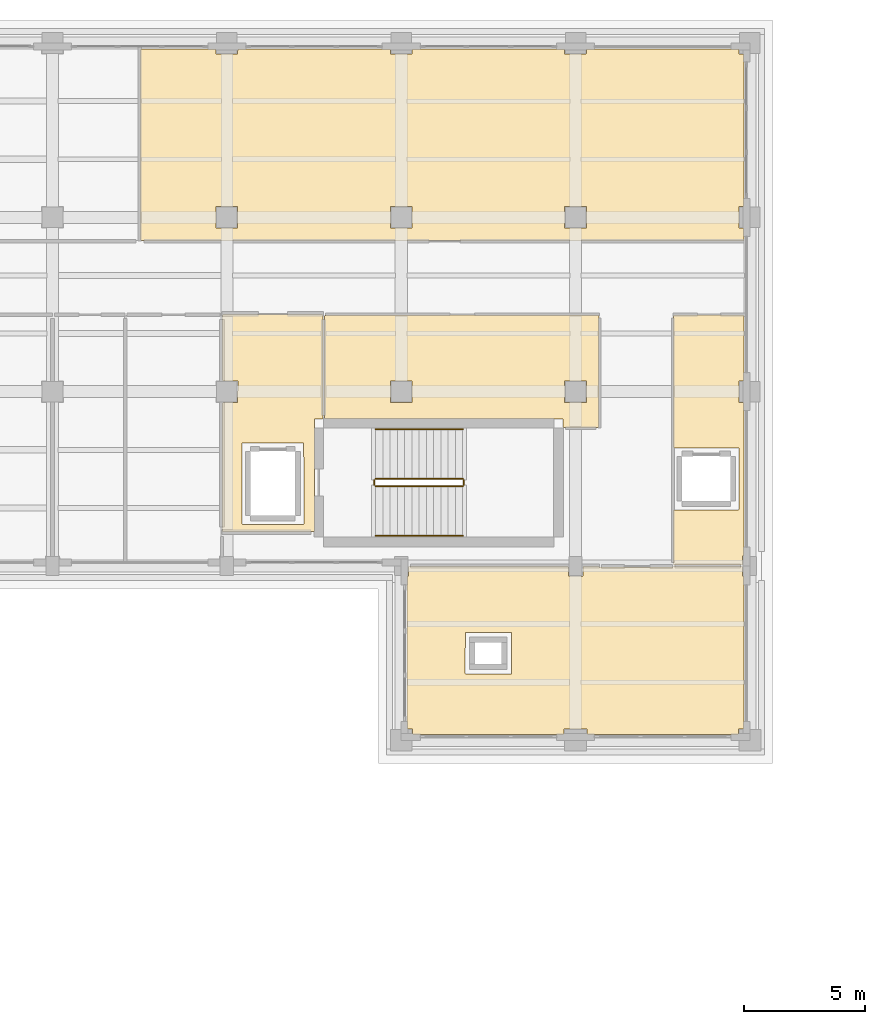
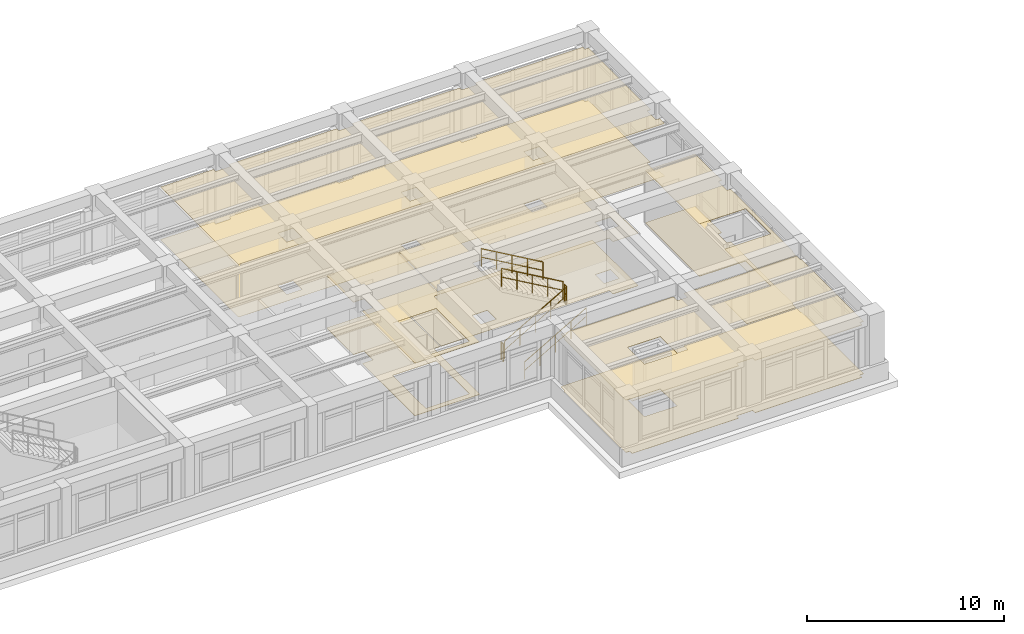
# One storey, part 69 of 69: 10 coverings, 6 railings.
"""IFC4 building model written with IfcOpenShell, lengths in metres."""

from ifc_helpers import new_model, si_unit, direction, frame, origin, origin_2d, place, context, subcontext, project, spatial, polyline, circle, outline, extrude, material, layer, layer_set, type_object, element, save


model = new_model("IFC4")

# Units and contexts
model_context = context("Model", 3, precision=1e-05, world=origin(), true_north=direction((0.0, 1.0)))
body_context = subcontext(model_context, "Body", "Model", "MODEL_VIEW")
ifc_project = project(units=[si_unit("LENGTHUNIT", "METRE"), si_unit("AREAUNIT", "SQUARE_METRE"), si_unit("VOLUMEUNIT", "CUBIC_METRE"), si_unit("PLANEANGLEUNIT", "RADIAN"), si_unit("MASSUNIT", "GRAM", prefix="KILO")], contexts=[model_context])

# Site, building, storey
site_placement = place(None, origin())
site = spatial("IfcSite", under=ifc_project, at=site_placement, CompositionType="ELEMENT")
building_placement = place(site_placement, origin())
building = spatial("IfcBuilding", under=site, at=building_placement, Name="Solenvale Faculty of Natural Sciences", CompositionType="ELEMENT")
storey_placement = place(building_placement, frame((0.0, 0.0, 4.5)))
storey = spatial("IfcBuildingStorey", under=building, at=storey_placement, Name="L01", CompositionType="ELEMENT", Elevation=4.5)

# Coverings
ifc_material_1 = material(Name="Acoustic mineral-timber ceiling", Category="wood")
ifc_layer_1 = layer(ifc_material_1, 0.02490234375)
ifc_layer_set_1 = layer_set([ifc_layer_1], Name="Acoustic mineral-timber ceiling")
covering_type_1 = type_object("IfcCoveringType", Name="COV-CEIL-AC25", PredefinedType="CEILING", material=ifc_layer_set_1)
covering_1_placement = place(storey_placement, frame((0.0, 0.0, 3.235107421875)))
element("IfcCovering", 1, at=covering_1_placement, inside=storey, type_object=covering_type_1, Name="L01 Firefighting Lobby C5 Acoustic Ceiling", PredefinedType="CEILING", context=body_context, shape_type="SweptSolid", body=[
    extrude(outline(polyline([(133.580078125, 99.7099609375), (133.555908203125, 99.680908203125), (133.248046875, 99.679931640625), (133.219970703125, 99.652099609375), (133.212890625, 95.031005859375), (133.18994140625, 95.02001953125), (129.430908203125, 95.027099609375), (129.419921875, 95.050048828125), (129.419921875, 100.322998046875), (129.447021484375, 100.35009765625), (130.048095703125, 100.35400390625), (130.050048828125, 101.239013671875), (130.0390625, 101.25), (129.447021484375, 101.25), (129.4208984375, 101.27392578125), (129.419921875, 103.949951171875), (129.428955078125, 103.970947265625), (129.449951171875, 103.97998046875), (133.550048828125, 103.97998046875), (133.571044921875, 103.970947265625), (133.580078125, 103.949951171875), (133.580078125, 99.7099609375)]), holes=[polyline([(132.751953125, 95.320068359375), (132.77197265625, 95.330078125), (132.780029296875, 95.35009765625), (132.77392578125, 98.66796875), (132.75, 98.679931640625), (130.23193359375, 98.674072265625), (130.219970703125, 98.64990234375), (130.22607421875, 95.33203125), (130.25, 95.320068359375), (132.751953125, 95.320068359375)])]), origin(), (0.0, 0.0, 1.0), 0.02490234375),
])
covering_2_placement = place(storey_placement, frame((0.0, 0.0, 3.235107421875)))
element("IfcCovering", 2, at=covering_2_placement, inside=storey, type_object=covering_type_1, Name="L01 Seminar Room Acoustic Ceiling", PredefinedType="CEILING", context=body_context, shape_type="SweptSolid", body=[
    extrude(outline(polyline([(144.950927734375, 93.580078125), (145.0, 93.56005859375), (148.0, 93.56005859375), (148.049072265625, 93.580078125), (150.8701171875, 93.580078125), (150.89306640625, 93.569091796875), (150.89990234375, 93.18310546875), (150.947021484375, 93.169921875), (150.9599609375, 93.14501953125), (150.9599609375, 86.905029296875), (150.93310546875, 86.875), (150.72802734375, 86.8720703125), (150.72509765625, 86.6669921875), (150.714111328125, 86.64697265625), (144.5048828125, 86.639892578125), (144.47607421875, 86.6640625), (144.467041015625, 86.875), (143.535888671875, 86.875), (143.52490234375, 86.865966796875), (143.52392578125, 86.6640625), (143.4951171875, 86.639892578125), (137.304931640625, 86.639892578125), (137.27490234375, 86.6669921875), (137.27197265625, 86.8720703125), (137.06689453125, 86.875), (137.047119140625, 86.885986328125), (137.0400390625, 93.14501953125), (137.052978515625, 93.169921875), (137.10009765625, 93.18310546875), (137.10009765625, 93.550048828125), (137.111083984375, 93.572998046875), (143.673095703125, 93.580078125), (143.699951171875, 93.552978515625), (143.7041015625, 93.177001953125), (144.2890625, 93.175048828125), (144.300048828125, 93.18603515625), (144.300048828125, 93.552978515625), (144.31298828125, 93.574951171875), (144.950927734375, 93.580078125)]), holes=[polyline([(141.33203125, 89.139892578125), (141.35205078125, 89.14990234375), (141.360107421875, 89.169921875), (141.360107421875, 90.830078125), (141.35009765625, 90.85205078125), (139.469970703125, 90.860107421875), (139.447998046875, 90.85009765625), (139.43994140625, 89.169921875), (139.449951171875, 89.14794921875), (141.33203125, 89.139892578125)])]), origin(), (0.0, 0.0, 1.0), 0.02490234375),
])
covering_3_placement = place(storey_placement, frame((0.0, 0.0, 3.235107421875)))
element("IfcCovering", 3, at=covering_3_placement, inside=storey, type_object=covering_type_1, Name="L01 Optics and Photonics Research Laboratory Acoustic Ceiling", PredefinedType="CEILING", context=body_context, shape_type="SweptSolid", body=[
    extrude(outline(polyline([(129.1201171875, 114.9599609375), (129.14892578125, 114.93603515625), (129.14990234375, 114.759033203125), (129.160888671875, 114.75), (130.0419921875, 114.75), (130.051025390625, 114.93603515625), (130.080078125, 114.9599609375), (136.320068359375, 114.9599609375), (136.34912109375, 114.93603515625), (136.35009765625, 114.759033203125), (136.361083984375, 114.75), (137.241943359375, 114.75), (137.2509765625, 114.93603515625), (137.280029296875, 114.9599609375), (143.52001953125, 114.9599609375), (143.549072265625, 114.93603515625), (143.550048828125, 114.759033203125), (143.56103515625, 114.75), (144.44189453125, 114.75), (144.450927734375, 114.93603515625), (144.47998046875, 114.9599609375), (150.73095703125, 114.9580078125), (150.75, 114.93310546875), (150.7529296875, 114.7529296875), (150.93603515625, 114.7490234375), (150.9599609375, 114.719970703125), (150.9599609375, 108.47998046875), (150.93603515625, 108.450927734375), (150.759033203125, 108.449951171875), (150.75, 108.43896484375), (150.75, 107.55810546875), (150.93310546875, 107.550048828125), (150.9580078125, 107.531005859375), (150.9580078125, 107.05908203125), (150.929931640625, 107.0400390625), (126.05908203125, 107.0419921875), (126.0400390625, 107.070068359375), (126.0419921875, 114.94091796875), (126.070068359375, 114.9599609375), (129.1201171875, 114.9599609375)]), holes=[polyline([(144.449951171875, 108.43896484375), (144.43896484375, 108.449951171875), (143.552978515625, 108.447021484375), (143.552978515625, 107.552978515625), (144.447021484375, 107.552978515625), (144.449951171875, 108.43896484375)]), polyline([(137.25, 108.43896484375), (137.239013671875, 108.449951171875), (136.35302734375, 108.447021484375), (136.35302734375, 107.552978515625), (137.2470703125, 107.552978515625), (137.25, 108.43896484375)]), polyline([(129.160888671875, 108.449951171875), (129.14990234375, 108.43896484375), (129.153076171875, 107.552978515625), (130.047119140625, 107.552978515625), (130.047119140625, 108.447021484375), (129.160888671875, 108.449951171875)])]), origin(), (0.0, 0.0, 1.0), 0.02490234375),
])
covering_4_placement = place(storey_placement, frame((0.0, 0.0, 3.235107421875)))
element("IfcCovering", 4, at=covering_4_placement, inside=storey, type_object=covering_type_1, Name="L01 Building Electrical and Telecom Closet Acoustic Ceiling", PredefinedType="CEILING", context=body_context, shape_type="SweptSolid", body=[
    extrude(outline(polyline([(144.929931640625, 103.9599609375), (144.950927734375, 103.950927734375), (144.9599609375, 103.929931640625), (144.9599609375, 99.35009765625), (144.94091796875, 99.322021484375), (143.50390625, 99.321044921875), (143.47998046875, 99.346923828125), (143.47998046875, 99.654052734375), (143.450927734375, 99.679931640625), (133.669921875, 99.679931640625), (133.64208984375, 99.698974609375), (133.639892578125, 103.929931640625), (133.658935546875, 103.9580078125), (144.929931640625, 103.9599609375)]), holes=[polyline([(144.449951171875, 101.239013671875), (144.43896484375, 101.25), (143.552978515625, 101.2470703125), (143.552978515625, 100.35302734375), (144.447021484375, 100.35302734375), (144.449951171875, 101.239013671875)]), polyline([(137.25, 101.239013671875), (137.239013671875, 101.25), (136.35302734375, 101.2470703125), (136.35302734375, 100.35302734375), (137.2470703125, 100.35302734375), (137.25, 101.239013671875)])]), origin(), (0.0, 0.0, 1.0), 0.02490234375),
])
covering_5_placement = place(storey_placement, frame((0.0, 0.0, 3.235107421875)))
element("IfcCovering", 5, at=covering_5_placement, inside=storey, type_object=covering_type_1, Name="L01 Elevator Lobby Acoustic Ceiling", PredefinedType="CEILING", context=body_context, shape_type="SweptSolid", body=[
    extrude(outline(polyline([(148.0400390625, 95.889892578125), (148.049072265625, 95.910888671875), (148.070068359375, 95.919921875), (150.72509765625, 95.919921875), (150.7470703125, 95.929931640625), (150.7548828125, 95.949951171875), (150.7548828125, 98.449951171875), (150.7451171875, 98.471923828125), (148.070068359375, 98.47998046875), (148.041015625, 98.5009765625), (148.0419921875, 103.94091796875), (148.070068359375, 103.9599609375), (150.94091796875, 103.9580078125), (150.9599609375, 103.929931640625), (150.9599609375, 101.277099609375), (150.93603515625, 101.2509765625), (150.759033203125, 101.25), (150.75, 101.239013671875), (150.75, 100.35791015625), (150.93603515625, 100.34912109375), (150.9599609375, 100.320068359375), (150.9599609375, 94.054931640625), (150.947021484375, 94.030029296875), (150.89990234375, 94.01708984375), (150.89306640625, 93.65087890625), (150.8701171875, 93.639892578125), (148.051025390625, 93.64697265625), (148.0400390625, 93.669921875), (148.0400390625, 95.889892578125)])), origin(), (0.0, 0.0, 1.0), 0.02490234375),
])
ifc_material_2 = material(Name="Polished slate terrazzo flooring", Category="masonry")
ifc_layer_2 = layer(ifc_material_2, 0.01806640625)
ifc_layer_set_2 = layer_set([ifc_layer_2], Name="Polished slate terrazzo flooring")
covering_type_2 = type_object("IfcCoveringType", Name="COV-FLR-TRZ18", PredefinedType="FLOORING", material=ifc_layer_set_2)
covering_6_placement = place(storey_placement, origin())
element("IfcCovering", 6, at=covering_6_placement, inside=storey, type_object=covering_type_2, Name="L01 Firefighting Lobby C5 Floor Finish", PredefinedType="FLOORING", context=body_context, shape_type="SweptSolid", body=[
    extrude(outline(polyline([(133.580078125, 99.7099609375), (133.555908203125, 99.680908203125), (133.248046875, 99.679931640625), (133.219970703125, 99.652099609375), (133.212890625, 95.031005859375), (133.18994140625, 95.02001953125), (129.430908203125, 95.027099609375), (129.419921875, 95.050048828125), (129.419921875, 100.322998046875), (129.447021484375, 100.35009765625), (130.048095703125, 100.35400390625), (130.050048828125, 101.239013671875), (130.0390625, 101.25), (129.447021484375, 101.25), (129.4208984375, 101.27392578125), (129.419921875, 103.949951171875), (129.428955078125, 103.970947265625), (129.449951171875, 103.97998046875), (133.550048828125, 103.97998046875), (133.571044921875, 103.970947265625), (133.580078125, 103.949951171875), (133.580078125, 99.7099609375)]), holes=[polyline([(132.751953125, 95.320068359375), (132.77197265625, 95.330078125), (132.780029296875, 95.35009765625), (132.77392578125, 98.66796875), (132.75, 98.679931640625), (130.23193359375, 98.674072265625), (130.219970703125, 98.64990234375), (130.22607421875, 95.33203125), (130.25, 95.320068359375), (132.751953125, 95.320068359375)])]), origin(), (0.0, 0.0, 1.0), 0.01806640625),
])
covering_7_placement = place(storey_placement, origin())
element("IfcCovering", 7, at=covering_7_placement, inside=storey, type_object=covering_type_2, Name="L01 Seminar Room Floor Finish", PredefinedType="FLOORING", context=body_context, shape_type="SweptSolid", body=[
    extrude(outline(polyline([(144.950927734375, 93.580078125), (145.0, 93.56005859375), (148.0, 93.56005859375), (148.049072265625, 93.580078125), (150.8701171875, 93.580078125), (150.89306640625, 93.569091796875), (150.89990234375, 93.18310546875), (150.947021484375, 93.169921875), (150.9599609375, 93.14501953125), (150.9599609375, 86.905029296875), (150.93310546875, 86.875), (150.72802734375, 86.8720703125), (150.72509765625, 86.6669921875), (150.714111328125, 86.64697265625), (144.5048828125, 86.639892578125), (144.47607421875, 86.6640625), (144.467041015625, 86.875), (143.535888671875, 86.875), (143.52490234375, 86.865966796875), (143.52392578125, 86.6640625), (143.4951171875, 86.639892578125), (137.304931640625, 86.639892578125), (137.27490234375, 86.6669921875), (137.27197265625, 86.8720703125), (137.06689453125, 86.875), (137.047119140625, 86.885986328125), (137.0400390625, 93.14501953125), (137.052978515625, 93.169921875), (137.10009765625, 93.18310546875), (137.10009765625, 93.550048828125), (137.111083984375, 93.572998046875), (143.673095703125, 93.580078125), (143.699951171875, 93.552978515625), (143.7041015625, 93.177001953125), (144.2890625, 93.175048828125), (144.300048828125, 93.18603515625), (144.300048828125, 93.552978515625), (144.31298828125, 93.574951171875), (144.950927734375, 93.580078125)]), holes=[polyline([(141.33203125, 89.139892578125), (141.35205078125, 89.14990234375), (141.360107421875, 89.169921875), (141.360107421875, 90.830078125), (141.35009765625, 90.85205078125), (139.469970703125, 90.860107421875), (139.447998046875, 90.85009765625), (139.43994140625, 89.169921875), (139.449951171875, 89.14794921875), (141.33203125, 89.139892578125)])]), origin(), (0.0, 0.0, 1.0), 0.01806640625),
])
covering_8_placement = place(storey_placement, origin())
element("IfcCovering", 8, at=covering_8_placement, inside=storey, type_object=covering_type_2, Name="L01 Building Electrical and Telecom Closet Floor Finish", PredefinedType="FLOORING", context=body_context, shape_type="SweptSolid", body=[
    extrude(outline(polyline([(144.929931640625, 103.9599609375), (144.950927734375, 103.950927734375), (144.9599609375, 103.929931640625), (144.9599609375, 99.35009765625), (144.94091796875, 99.322021484375), (143.50390625, 99.321044921875), (143.47998046875, 99.346923828125), (143.47998046875, 99.654052734375), (143.450927734375, 99.679931640625), (133.669921875, 99.679931640625), (133.64208984375, 99.698974609375), (133.639892578125, 103.929931640625), (133.658935546875, 103.9580078125), (144.929931640625, 103.9599609375)]), holes=[polyline([(144.449951171875, 101.239013671875), (144.43896484375, 101.25), (143.552978515625, 101.2470703125), (143.552978515625, 100.35302734375), (144.447021484375, 100.35302734375), (144.449951171875, 101.239013671875)]), polyline([(137.25, 101.239013671875), (137.239013671875, 101.25), (136.35302734375, 101.2470703125), (136.35302734375, 100.35302734375), (137.2470703125, 100.35302734375), (137.25, 101.239013671875)])]), origin(), (0.0, 0.0, 1.0), 0.01806640625),
])
covering_9_placement = place(storey_placement, origin())
element("IfcCovering", 9, at=covering_9_placement, inside=storey, type_object=covering_type_2, Name="L01 Elevator Lobby Floor Finish", PredefinedType="FLOORING", context=body_context, shape_type="SweptSolid", body=[
    extrude(outline(polyline([(148.0400390625, 95.889892578125), (148.049072265625, 95.910888671875), (148.070068359375, 95.919921875), (150.72509765625, 95.919921875), (150.7470703125, 95.929931640625), (150.7548828125, 95.949951171875), (150.7548828125, 98.449951171875), (150.7451171875, 98.471923828125), (148.070068359375, 98.47998046875), (148.041015625, 98.5009765625), (148.0419921875, 103.94091796875), (148.070068359375, 103.9599609375), (150.94091796875, 103.9580078125), (150.9599609375, 103.929931640625), (150.9599609375, 101.277099609375), (150.93603515625, 101.2509765625), (150.759033203125, 101.25), (150.75, 101.239013671875), (150.75, 100.35791015625), (150.93603515625, 100.34912109375), (150.9599609375, 100.320068359375), (150.9599609375, 94.054931640625), (150.947021484375, 94.030029296875), (150.89990234375, 94.01708984375), (150.89306640625, 93.65087890625), (150.8701171875, 93.639892578125), (148.051025390625, 93.64697265625), (148.0400390625, 93.669921875), (148.0400390625, 95.889892578125)])), origin(), (0.0, 0.0, 1.0), 0.01806640625),
])
ifc_material_3 = material(Name="Seamless laboratory vinyl flooring")
ifc_layer_3 = layer(ifc_material_3, 0.008056640625)
ifc_layer_set_3 = layer_set([ifc_layer_3], Name="Seamless laboratory vinyl flooring")
covering_type_3 = type_object("IfcCoveringType", Name="COV-FLR-VNL08", PredefinedType="FLOORING", material=ifc_layer_set_3)
covering_10_placement = place(storey_placement, origin())
element("IfcCovering", 10, at=covering_10_placement, inside=storey, type_object=covering_type_3, Name="L01 Optics and Photonics Research Laboratory Floor Finish", PredefinedType="FLOORING", context=body_context, shape_type="SweptSolid", body=[
    extrude(outline(polyline([(129.1201171875, 114.9599609375), (129.14892578125, 114.93603515625), (129.14990234375, 114.759033203125), (129.160888671875, 114.75), (130.0419921875, 114.75), (130.051025390625, 114.93603515625), (130.080078125, 114.9599609375), (136.320068359375, 114.9599609375), (136.34912109375, 114.93603515625), (136.35009765625, 114.759033203125), (136.361083984375, 114.75), (137.241943359375, 114.75), (137.2509765625, 114.93603515625), (137.280029296875, 114.9599609375), (143.52001953125, 114.9599609375), (143.549072265625, 114.93603515625), (143.550048828125, 114.759033203125), (143.56103515625, 114.75), (144.44189453125, 114.75), (144.450927734375, 114.93603515625), (144.47998046875, 114.9599609375), (150.73095703125, 114.9580078125), (150.75, 114.93310546875), (150.7529296875, 114.7529296875), (150.93603515625, 114.7490234375), (150.9599609375, 114.719970703125), (150.9599609375, 108.47998046875), (150.93603515625, 108.450927734375), (150.759033203125, 108.449951171875), (150.75, 108.43896484375), (150.75, 107.55810546875), (150.93310546875, 107.550048828125), (150.9580078125, 107.531005859375), (150.9580078125, 107.05908203125), (150.929931640625, 107.0400390625), (126.05908203125, 107.0419921875), (126.0400390625, 107.070068359375), (126.0419921875, 114.94091796875), (126.070068359375, 114.9599609375), (129.1201171875, 114.9599609375)]), holes=[polyline([(144.449951171875, 108.43896484375), (144.43896484375, 108.449951171875), (143.552978515625, 108.447021484375), (143.552978515625, 107.552978515625), (144.447021484375, 107.552978515625), (144.449951171875, 108.43896484375)]), polyline([(137.25, 108.43896484375), (137.239013671875, 108.449951171875), (136.35302734375, 108.447021484375), (136.35302734375, 107.552978515625), (137.2470703125, 107.552978515625), (137.25, 108.43896484375)]), polyline([(129.160888671875, 108.449951171875), (129.14990234375, 108.43896484375), (129.153076171875, 107.552978515625), (130.047119140625, 107.552978515625), (130.047119140625, 108.447021484375), (129.160888671875, 108.449951171875)])]), origin(), (0.0, 0.0, 1.0), 0.008056640625),
])

# Railings
ifc_material_4 = material(Name="Stainless steel Grade 304", Category="steel")
railing_type_1 = type_object("IfcRailingType", Name="RL-GRD-1100", PredefinedType="GUARDRAIL", material=ifc_material_4)
railing_1_placement = place(storey_placement, frame((135.739990234375, 96.89990234375, 0.173095703125)))
element("IfcRailing", 11, at=railing_1_placement, inside=storey, type_object=railing_type_1, Name="L01 ST-05 stair guard 1", PredefinedType="GUARDRAIL", context=body_context, shape_type="SweptSolid", body=[
    extrude(circle(Radius=0.02392578125, at=origin_2d()), frame((0.0, 0.0, 1.09619140625), z_axis=(0.866193409371, 0.0, 0.499708892819), x_axis=(0.0, 1.0, 0.0)), (0.0, 0.0, 1.0), 4.15625),
    extrude(circle(Radius=0.01611328125, at=origin_2d()), frame((0.0, 0.0, 0.56005859375), z_axis=(0.866193409371, 0.0, 0.499708892819), x_axis=(0.0, 1.0, 0.0)), (0.0, 0.0, 1.0), 4.15625),
    extrude(circle(Radius=0.02099609375, at=origin_2d()), origin(), (0.0, 0.0, 1.0), 1.072021484375),
    extrude(circle(Radius=0.02099609375, at=origin_2d()), frame((0.89990234375, 0.0, 0.519287109375)), (0.0, 0.0, 1.0), 1.072021484375),
    extrude(circle(Radius=0.02099609375, at=origin_2d()), frame((1.800048828125, 0.0, 1.03857421875)), (0.0, 0.0, 1.0), 1.072021484375),
    extrude(circle(Radius=0.02099609375, at=origin_2d()), frame((2.7001953125, 0.0, 1.5576171875)), (0.0, 0.0, 1.0), 1.072021484375),
    extrude(circle(Radius=0.02099609375, at=origin_2d()), frame((3.60009765625, 0.0, 2.076904296875)), (0.0, 0.0, 1.0), 1.072021484375),
])
railing_2_placement = place(storey_placement, frame((139.389892578125, 96.949951171875, 2.25)))
element("IfcRailing", 12, at=railing_2_placement, inside=storey, type_object=railing_type_1, Name="L01 ST-05 stair guard 2", PredefinedType="GUARDRAIL", context=body_context, shape_type="SweptSolid", body=[
    extrude(circle(Radius=0.02392578125, at=origin_2d()), frame((0.0, 0.0, 1.09619140625), z_axis=(0.0, 1.0, 0.0), x_axis=(-1.0, 0.0, 0.0)), (0.0, 0.0, 1.0), 0.199951171875),
    extrude(circle(Radius=0.01611328125, at=origin_2d()), frame((0.0, 0.0, 0.56005859375), z_axis=(0.0, 1.0, 0.0), x_axis=(-1.0, 0.0, 0.0)), (0.0, 0.0, 1.0), 0.199951171875),
    extrude(circle(Radius=0.02099609375, at=origin_2d()), origin(), (0.0, 0.0, 1.0), 1.072021484375),
    extrude(circle(Radius=0.02099609375, at=origin_2d()), frame((0.0, 0.199951171875, 0.0)), (0.0, 0.0, 1.0), 1.072021484375),
])
railing_3_placement = place(storey_placement, frame((139.340087890625, 97.199951171875, 2.423095703125)))
element("IfcRailing", 13, at=railing_3_placement, inside=storey, type_object=railing_type_1, Name="L01 ST-05 stair guard 3", PredefinedType="GUARDRAIL", context=body_context, shape_type="SweptSolid", body=[
    extrude(circle(Radius=0.02392578125, at=origin_2d()), frame((0.0, 0.0, 1.09619140625), z_axis=(-0.866193409371, 0.0, 0.499708892819), x_axis=(0.0, -1.0, 0.0)), (0.0, 0.0, 1.0), 4.15625),
    extrude(circle(Radius=0.01611328125, at=origin_2d()), frame((0.0, 0.0, 0.56005859375), z_axis=(-0.866193409371, 0.0, 0.499708892819), x_axis=(0.0, -1.0, 0.0)), (0.0, 0.0, 1.0), 4.15625),
    extrude(circle(Radius=0.02099609375, at=origin_2d()), origin(), (0.0, 0.0, 1.0), 1.072021484375),
    extrude(circle(Radius=0.02099609375, at=origin_2d()), frame((-0.89990234375, 0.0, 0.519287109375)), (0.0, 0.0, 1.0), 1.072021484375),
    extrude(circle(Radius=0.02099609375, at=origin_2d()), frame((-1.800048828125, 0.0, 1.03857421875)), (0.0, 0.0, 1.0), 1.072021484375),
    extrude(circle(Radius=0.02099609375, at=origin_2d()), frame((-2.7001953125, 0.0, 1.5576171875)), (0.0, 0.0, 1.0), 1.072021484375),
    extrude(circle(Radius=0.02099609375, at=origin_2d()), frame((-3.60009765625, 0.0, 2.076904296875)), (0.0, 0.0, 1.0), 1.072021484375),
])
railing_4_placement = place(storey_placement, frame((135.68994140625, 96.949951171875, 0.0)))
element("IfcRailing", 14, at=railing_4_placement, inside=storey, type_object=railing_type_1, Name="L01 ST-05 stair guard 4", PredefinedType="GUARDRAIL", context=body_context, shape_type="SweptSolid", body=[
    extrude(circle(Radius=0.02392578125, at=origin_2d()), frame((0.0, 0.0, 1.09619140625), z_axis=(0.0, 1.0, 0.0), x_axis=(-1.0, 0.0, 0.0)), (0.0, 0.0, 1.0), 0.199951171875),
    extrude(circle(Radius=0.01611328125, at=origin_2d()), frame((0.0, 0.0, 0.56005859375), z_axis=(0.0, 1.0, 0.0), x_axis=(-1.0, 0.0, 0.0)), (0.0, 0.0, 1.0), 0.199951171875),
    extrude(circle(Radius=0.02099609375, at=origin_2d()), origin(), (0.0, 0.0, 1.0), 1.072021484375),
    extrude(circle(Radius=0.02099609375, at=origin_2d()), frame((0.0, 0.199951171875, 0.0)), (0.0, 0.0, 1.0), 1.072021484375),
])
railing_type_2 = type_object("IfcRailingType", Name="RL-HND-900", PredefinedType="HANDRAIL", material=ifc_material_4)
railing_5_placement = place(storey_placement, frame((135.739990234375, 94.85009765625, 0.173095703125)))
element("IfcRailing", 15, at=railing_5_placement, inside=storey, type_object=railing_type_2, Name="L01 ST-05 stair handrail 1", PredefinedType="HANDRAIL", context=body_context, shape_type="SweptSolid", body=[
    extrude(circle(Radius=0.02392578125, at=origin_2d()), frame((0.0, 0.0, 1.0732421875), z_axis=(0.866193409371, 0.0, 0.499708892819), x_axis=(0.0, 1.0, 0.0)), (0.0, 0.0, 1.0), 4.15625),
    extrude(circle(Radius=0.01611328125, at=origin_2d()), frame((0.0, 0.0, 0.548583984375), z_axis=(0.866193409371, 0.0, 0.499708892819), x_axis=(0.0, 1.0, 0.0)), (0.0, 0.0, 1.0), 4.15625),
    extrude(circle(Radius=0.02099609375, at=origin_2d()), origin(), (0.0, 0.0, 1.0), 1.049072265625),
    extrude(circle(Radius=0.02099609375, at=origin_2d()), frame((0.89990234375, 0.0, 0.519287109375)), (0.0, 0.0, 1.0), 1.049072265625),
    extrude(circle(Radius=0.02099609375, at=origin_2d()), frame((1.800048828125, 0.0, 1.03857421875)), (0.0, 0.0, 1.0), 1.049072265625),
    extrude(circle(Radius=0.02099609375, at=origin_2d()), frame((2.7001953125, 0.0, 1.5576171875)), (0.0, 0.0, 1.0), 1.049072265625),
    extrude(circle(Radius=0.02099609375, at=origin_2d()), frame((3.60009765625, 0.0, 2.076904296875)), (0.0, 0.0, 1.0), 1.049072265625),
])
railing_6_placement = place(storey_placement, frame((139.340087890625, 99.25, 2.423095703125)))
element("IfcRailing", 16, at=railing_6_placement, inside=storey, type_object=railing_type_2, Name="L01 ST-05 stair handrail 2", PredefinedType="HANDRAIL", context=body_context, shape_type="SweptSolid", body=[
    extrude(circle(Radius=0.02392578125, at=origin_2d()), frame((0.0, 0.0, 1.0732421875), z_axis=(-0.866193409371, 0.0, 0.499708892819), x_axis=(0.0, -1.0, 0.0)), (0.0, 0.0, 1.0), 4.15625),
    extrude(circle(Radius=0.01611328125, at=origin_2d()), frame((0.0, 0.0, 0.548583984375), z_axis=(-0.866193409371, 0.0, 0.499708892819), x_axis=(0.0, -1.0, 0.0)), (0.0, 0.0, 1.0), 4.15625),
    extrude(circle(Radius=0.02099609375, at=origin_2d()), origin(), (0.0, 0.0, 1.0), 1.049072265625),
    extrude(circle(Radius=0.02099609375, at=origin_2d()), frame((-0.89990234375, 0.0, 0.519287109375)), (0.0, 0.0, 1.0), 1.049072265625),
    extrude(circle(Radius=0.02099609375, at=origin_2d()), frame((-1.800048828125, 0.0, 1.03857421875)), (0.0, 0.0, 1.0), 1.049072265625),
    extrude(circle(Radius=0.02099609375, at=origin_2d()), frame((-2.7001953125, 0.0, 1.5576171875)), (0.0, 0.0, 1.0), 1.049072265625),
    extrude(circle(Radius=0.02099609375, at=origin_2d()), frame((-3.60009765625, 0.0, 2.076904296875)), (0.0, 0.0, 1.0), 1.049072265625),
])

save(model, "model.ifc")
